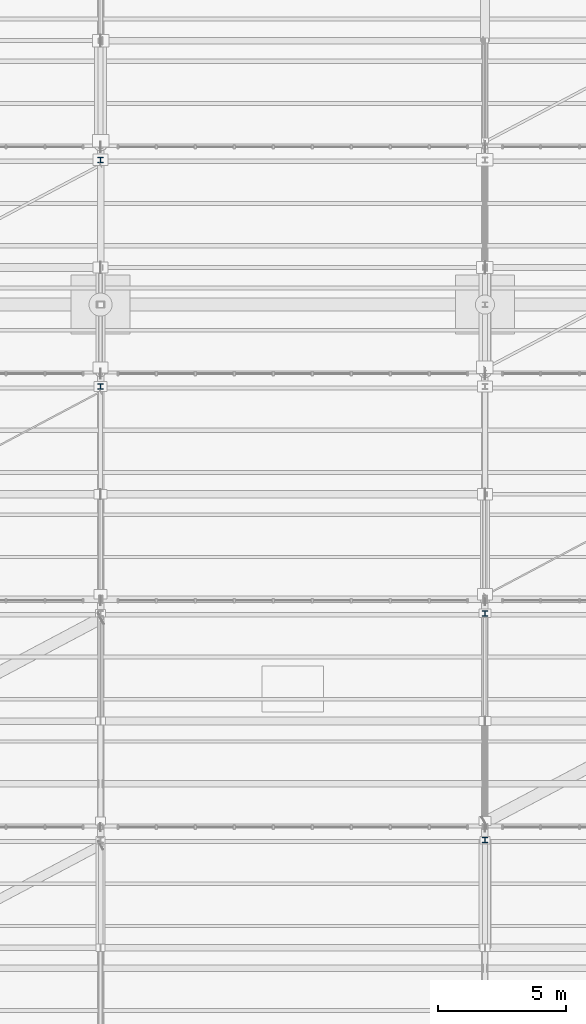
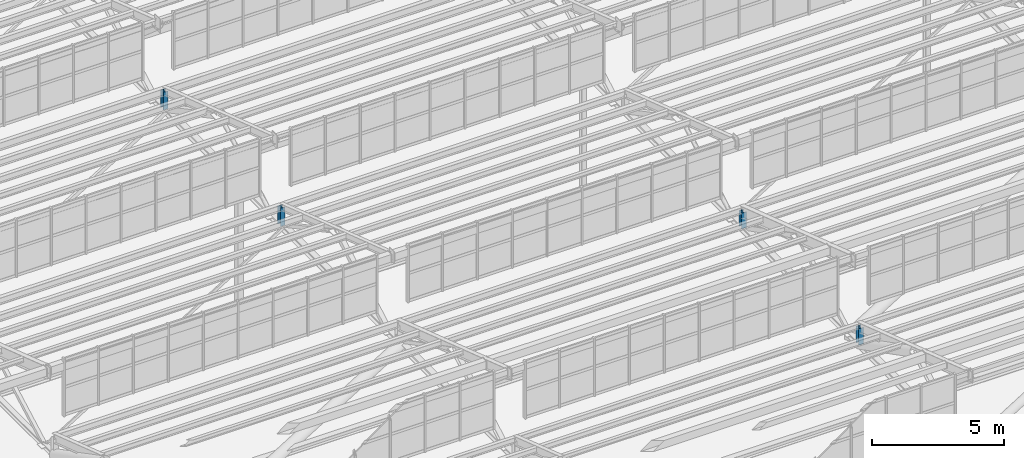
# One storey, part 142 of 285: 4 members.
"""IFC4 building model written with IfcOpenShell, lengths in metres."""

from ifc_helpers import new_model, si_unit, direction, frame, origin, origin_2d, place, context, subcontext, project, spatial, i_section, extrude, material, material_profile, profile_set, type_object, element, save


model = new_model("IFC4")

# Units and contexts
model_context = context("Model", 3, precision=1e-05, world=origin(), true_north=direction((0.0, 1.0)))
body_context = subcontext(model_context, "Body", "Model", "MODEL_VIEW")
ifc_project = project(units=[si_unit("LENGTHUNIT", "METRE"), si_unit("AREAUNIT", "SQUARE_METRE"), si_unit("VOLUMEUNIT", "CUBIC_METRE"), si_unit("PLANEANGLEUNIT", "RADIAN"), si_unit("MASSUNIT", "GRAM", prefix="KILO")], contexts=[model_context])

# Site, building, storey
site_placement = place(None, origin())
site = spatial("IfcSite", under=ifc_project, at=site_placement, CompositionType="ELEMENT")
building_placement = place(site_placement, origin())
building = spatial("IfcBuilding", under=site, at=building_placement, Name="Solanera Park Tramway Depot", CompositionType="ELEMENT")
storey_placement = place(building_placement, origin())
storey = spatial("IfcBuildingStorey", under=building, at=storey_placement, Name="L00", CompositionType="ELEMENT", Elevation=0.0)

# Members
ifc_material = material(Name="Steel AS/NZS 3679.1 Grade 350", Category="steel")
ifc_material_profile = material_profile(ifc_material, i_section(OverallWidth=0.205078125, OverallDepth=0.209716796875, WebThickness=0.00927734375, FlangeThickness=0.01416015625, at=origin_2d()), Name="200UC59.5")
ifc_profile_set = profile_set([ifc_material_profile], Name="Steel AS/NZS 3679.1 Grade 350")
member_type = type_object("IfcMemberType", Name="Roof Gantry Compression Strut 200UC59.5", PredefinedType="STRUT", material=ifc_profile_set)
member_1_placement = place(storey_placement, frame((45.0, 64.10009765625, 6.5), z_axis=(0.0, 0.0, 1.0), x_axis=(1.0, 0.0, 0.0)))
element("IfcMember", 1, at=member_1_placement, inside=storey, type_object=member_type, Name="Sawtooth ROOF TRUSS Valley Post 200UC59.5 #0003", PredefinedType="STRUT", context=body_context, shape_type="SweptSolid", body=[
    extrude(i_section(OverallWidth=0.205078125, OverallDepth=0.209716796875, WebThickness=0.00927734375, FlangeThickness=0.01416015625, at=origin_2d()), origin(), (0.0, 0.0, 1.0), 0.76220703125),
])
member_2_placement = place(storey_placement, frame((45.0, 72.949951171875, 6.5), z_axis=(0.0, 0.0, 1.0), x_axis=(1.0, 0.0, 0.0)))
element("IfcMember", 2, at=member_2_placement, inside=storey, type_object=member_type, Name="Sawtooth ROOF TRUSS Valley Post 200UC59.5 #0012", PredefinedType="STRUT", context=body_context, shape_type="SweptSolid", body=[
    extrude(i_section(OverallWidth=0.205078125, OverallDepth=0.209716796875, WebThickness=0.00927734375, FlangeThickness=0.01416015625, at=origin_2d()), origin(), (0.0, 0.0, 1.0), 0.724365234375),
])
member_3_placement = place(storey_placement, frame((30.0, 81.800048828125, 6.5), z_axis=(0.0, 0.0, 1.0), x_axis=(1.0, 0.0, 0.0)))
element("IfcMember", 3, at=member_3_placement, inside=storey, type_object=member_type, Name="Sawtooth ROOF TRUSS Valley Post 200UC59.5 #0021", PredefinedType="STRUT", context=body_context, shape_type="SweptSolid", body=[
    extrude(i_section(OverallWidth=0.205078125, OverallDepth=0.209716796875, WebThickness=0.00927734375, FlangeThickness=0.01416015625, at=origin_2d()), origin(), (0.0, 0.0, 1.0), 0.83740234375),
])
member_4_placement = place(storey_placement, frame((30.0, 90.64990234375, 6.5), z_axis=(0.0, 0.0, 1.0), x_axis=(1.0, 0.0, 0.0)))
element("IfcMember", 4, at=member_4_placement, inside=storey, type_object=member_type, Name="Sawtooth ROOF TRUSS Valley Post 200UC59.5 #0032", PredefinedType="STRUT", context=body_context, shape_type="SweptSolid", body=[
    extrude(i_section(OverallWidth=0.205078125, OverallDepth=0.209716796875, WebThickness=0.00927734375, FlangeThickness=0.01416015625, at=origin_2d()), origin(), (0.0, 0.0, 1.0), 0.81298828125),
])

save(model, "model.ifc")
